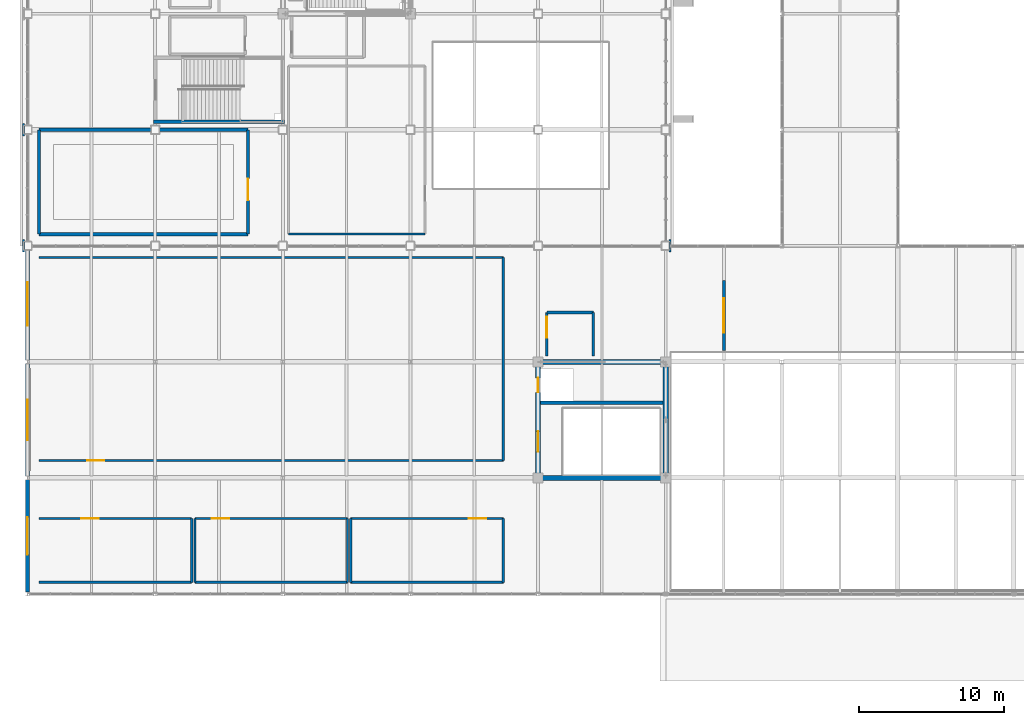
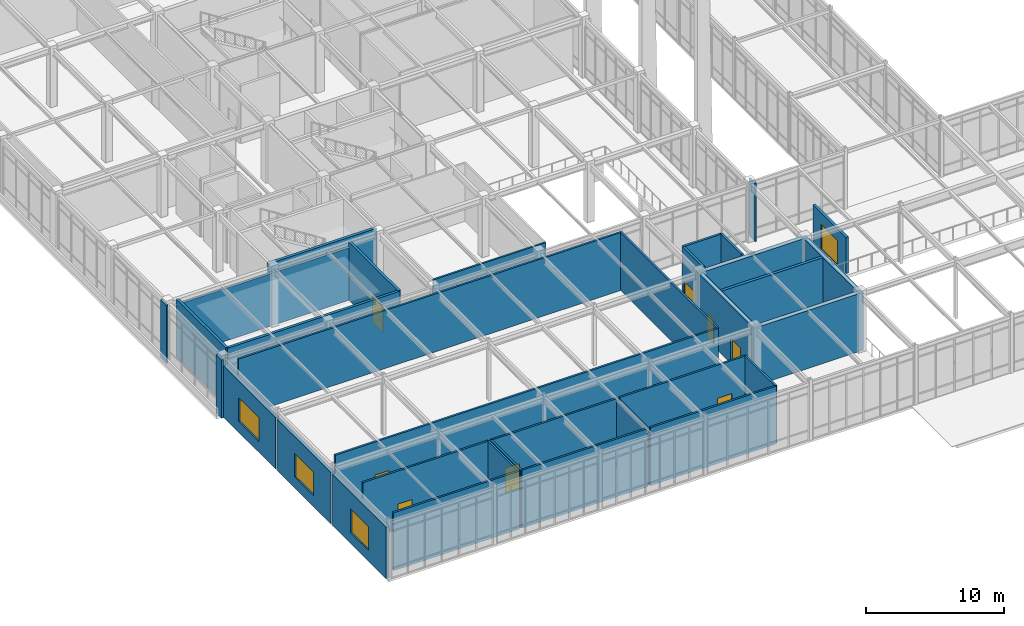
# One storey, part 160 of 184: 35 walls, 9 doors, 3 windows, 12 openings.
"""IFC4 building model written with IfcOpenShell, lengths in metres."""

from ifc_helpers import new_model, si_unit, direction, frame, frame_2d, origin, place, context, subcontext, project, spatial, rectangle, extrude, material, layer, layer_set, type_object, element, fill, save


model = new_model("IFC4")

# Units and contexts
model_context = context("Model", 3, precision=1e-05, world=origin(), true_north=direction((0.0, 1.0)))
body_context = subcontext(model_context, "Body", "Model", "MODEL_VIEW")
ifc_project = project(units=[si_unit("LENGTHUNIT", "METRE"), si_unit("AREAUNIT", "SQUARE_METRE"), si_unit("VOLUMEUNIT", "CUBIC_METRE"), si_unit("PLANEANGLEUNIT", "RADIAN"), si_unit("MASSUNIT", "GRAM", prefix="KILO")], contexts=[model_context])

# Site, building, storey
site_placement = place(None, origin())
site = spatial("IfcSite", under=ifc_project, at=site_placement, CompositionType="ELEMENT")
building_placement = place(site_placement, origin())
building = spatial("IfcBuilding", under=site, at=building_placement, Name="Zhaolan Boulevard Law Courts", CompositionType="ELEMENT")
storey_placement = place(building_placement, frame((0.0, 0.0, 5.39990234375)))
storey = spatial("IfcBuildingStorey", under=building, at=storey_placement, Name="L01", CompositionType="ELEMENT", Elevation=5.39990234375)

# Walls
ifc_material_1 = material(Name="Concrete C50", Category="concrete")
ifc_layer_1 = layer(ifc_material_1, 0.35009765625)
ifc_layer_set_1 = layer_set([ifc_layer_1])
wall_type_1 = type_object("IfcWallType", Name="CORE SHEAR WALL 350", PredefinedType="SHEAR", material=ifc_layer_set_1)
for number, where, z_axis, x_axis, name in (
    (1, (35.02490234375, 14.0, 0.0), (0.0, 0.0, 1.0), (1.0, 0.0, 0.0), "Core Shear Wall CW-P1-L01S"),
    (2, (44.175048828125, 22.0, 0.0), (0.0, 0.0, 1.0), (-1.0, 0.0, 0.0), "Core Shear Wall CW-P1-L01N"),
):
    element("IfcWall", number, at=place(storey_placement, frame(where, z_axis=z_axis, x_axis=x_axis)), inside=storey, type_object=wall_type_1, Name=name, PredefinedType="SHEAR", context=body_context, shape_type="SweptSolid", body=[
        extrude(rectangle(XDim=9.150146484375, YDim=0.35009765625, at=frame_2d((4.5751953125, 0.0))), origin(), (0.0, 0.0, 1.0), 5.1201171875),
    ])

# Wall, openings, doors
wall_1_placement = place(storey_placement, frame((35.199951171875, 14.175048828125, 0.0), z_axis=(0.0, 0.0, 1.0), x_axis=(0.0, 1.0, 0.0)))
wall_1 = element("IfcWall", 3, at=wall_1_placement, inside=storey, type_object=wall_type_1, Name="Core Shear Wall CW-P1-L01W", PredefinedType="SHEAR", context=body_context, shape_type="SweptSolid", body=[
    extrude(rectangle(XDim=7.64990234375, YDim=0.35009765625, at=frame_2d((3.824951171875, 0.0))), origin(), (0.0, 0.0, 1.0), 5.1201171875),
])
opening_1_placement = place(wall_1_placement, frame((1.625, 0.0, 0.0)))
opening_1 = element("IfcOpeningElement", 4, at=opening_1_placement, cuts=wall_1, Name="Opening SD-L01-25", PredefinedType="OPENING", context=body_context, shape_type="SweptSolid", body=[
    extrude(rectangle(XDim=1.39990234375, YDim=2.199951171875, at=frame_2d((0.699951171875, 1.10009765625))), frame((0.0, 0.18505859375, 0.0), z_axis=(0.0, -1.0, 0.0), x_axis=(1.0, 0.0, 0.0)), (0.0, 0.0, 1.0), 0.3701171875),
])
opening_2_placement = place(wall_1_placement, frame((5.72509765625, 0.0, 0.0)))
opening_2 = element("IfcOpeningElement", 5, at=opening_2_placement, cuts=wall_1, Name="Opening LD-PL-01-L01", PredefinedType="OPENING", context=body_context, shape_type="SweptSolid", body=[
    extrude(rectangle(XDim=1.0, YDim=2.14990234375, at=frame_2d((0.5, 1.074951171875))), frame((0.0, 0.18505859375, 0.0), z_axis=(0.0, -1.0, 0.0), x_axis=(1.0, 0.0, 0.0)), (0.0, 0.0, 1.0), 0.3701171875),
])
ifc_material_2 = material(Name="Stainless steel sliding landing door", Category="steel")
door_type_1 = type_object("IfcDoorType", Name="LIFT LANDING 1000X2150", OperationType="DOUBLE_DOOR_SLIDING", PredefinedType="DOOR", material=ifc_material_2)
door_1_placement = place(opening_2_placement, origin())
door_1 = element("IfcDoor", 6, at=door_1_placement, inside=storey, type_object=door_type_1, Name="Lift Landing Sliding Door LD-PL-01-L01", OperationType="DOUBLE_DOOR_SLIDING", OverallHeight=2.14990234375, OverallWidth=1.0, PredefinedType="DOOR", context=body_context, shape_type="SweptSolid", body=[
    extrude(rectangle(XDim=1.0, YDim=2.14990234375, at=frame_2d((0.5, 1.074951171875))), frame((0.0, 0.02490234375, 0.0), z_axis=(0.0, -1.0, 0.0), x_axis=(1.0, 0.0, 0.0)), (0.0, 0.0, 1.0), 0.050048828125),
])
fill(opening_2, door_1)
ifc_material_3 = material(Name="Fire-rated steel acoustic door", Category="steel")
door_type_2 = type_object("IfcDoorType", Name="STAIR FIRE 1400X2200 L", OperationType="SINGLE_SWING_LEFT", PredefinedType="DOOR", material=ifc_material_3)
door_2_placement = place(opening_1_placement, origin())
door_2 = element("IfcDoor", 7, at=door_2_placement, inside=storey, type_object=door_type_2, Name="Smoke-Proof Stairwell Fire Door SD-L01-25", OperationType="SINGLE_SWING_LEFT", OverallHeight=2.199951171875, OverallWidth=1.39990234375, PredefinedType="DOOR", context=body_context, shape_type="SweptSolid", body=[
    extrude(rectangle(XDim=1.39990234375, YDim=2.199951171875, at=frame_2d((0.699951171875, 1.10009765625))), frame((0.0, 0.02490234375, 0.0), z_axis=(0.0, -1.0, 0.0), x_axis=(1.0, 0.0, 0.0)), (0.0, 0.0, 1.0), 0.050048828125),
])
fill(opening_1, door_2)

# Walls
wall_2_placement = place(storey_placement, frame((44.0, 14.175048828125, 0.0), z_axis=(0.0, 0.0, 1.0), x_axis=(0.0, 1.0, 0.0)))
element("IfcWall", 8, at=wall_2_placement, inside=storey, type_object=wall_type_1, Name="Core Shear Wall CW-P1-L01E", PredefinedType="SHEAR", context=body_context, shape_type="SweptSolid", body=[
    extrude(rectangle(XDim=7.64990234375, YDim=0.35009765625, at=frame_2d((3.824951171875, 0.0))), origin(), (0.0, 0.0, 1.0), 5.1201171875),
])
ifc_material_4 = material(Name="Concrete C40", Category="concrete")
ifc_layer_2 = layer(ifc_material_4, 0.139892578125)
ifc_layer_set_2 = layer_set([ifc_layer_2])
wall_type_2 = type_object("IfcWallType", Name="EXT WALL ARCH CLAD140", PredefinedType="SOLIDWALL", material=ifc_layer_set_2)
for number, where, z_axis, x_axis, name in (
    (9, (-0.280029296875, 29.580078125, 0.0), (0.0, 0.0, 1.0), (0.0, 1.0, 0.0), "Concrete Column Cloak Pier CPR-040"),
    (10, (44.280029296875, 29.580078125, 0.0), (0.0, 0.0, 1.0), (0.0, 1.0, 0.0), "Concrete Column Cloak Pier CPR-041"),
    (11, (-0.280029296875, 37.580078125, 0.0), (0.0, 0.0, 1.0), (0.0, 1.0, 0.0), "Concrete Column Cloak Pier CPR-042"),
):
    element("IfcWall", number, at=place(storey_placement, frame(where, z_axis=z_axis, x_axis=x_axis)), inside=storey, type_object=wall_type_2, Name=name, PredefinedType="SOLIDWALL", context=body_context, shape_type="SweptSolid", body=[
        extrude(rectangle(XDim=0.83984375, YDim=0.139892578125, at=frame_2d((0.419921875, 0.0))), origin(), (0.0, 0.0, 1.0), 5.14013671875),
    ])

# Wall, opening, window
ifc_material_5 = material(Name="Concrete C40", Category="concrete")
ifc_layer_3 = layer(ifc_material_5, 0.300048828125)
ifc_layer_set_3 = layer_set([ifc_layer_3])
wall_type_3 = type_object("IfcWallType", Name="EXT WALL CONCRETE300", PredefinedType="SOLIDWALL", material=ifc_layer_set_3)
wall_3_placement = place(storey_placement, frame((0.0, 13.87890625, 0.0), z_axis=(0.0, 0.0, 1.0), x_axis=(0.0, -1.0, 0.0)))
wall_3 = element("IfcWall", 12, at=wall_3_placement, inside=storey, type_object=wall_type_3, Name="Exterior Wall EW-L01-155", PredefinedType="SOLIDWALL", context=body_context, shape_type="SweptSolid", body=[
    extrude(rectangle(XDim=7.7578125, YDim=0.300048828125, at=frame_2d((3.87890625, 0.0))), origin(), (0.0, 0.0, 1.0), 4.523193359375),
])
opening_3_placement = place(wall_3_placement, frame((2.5791015625, 0.0, 0.949951171875)))
opening_3 = element("IfcOpeningElement", 13, at=opening_3_placement, cuts=wall_3, Name="Opening WIN-L01-016", PredefinedType="OPENING", context=body_context, shape_type="SweptSolid", body=[
    extrude(rectangle(XDim=2.60009765625, YDim=2.10009765625, at=frame_2d((1.300048828125, 1.050048828125))), frame((0.0, 0.159912109375, 0.0), z_axis=(0.0, -1.0, 0.0), x_axis=(1.0, 0.0, 0.0)), (0.0, 0.0, 1.0), 0.320068359375),
])
ifc_material_6 = material(Name="Thermally broken aluminium and low-E glazing", Category="aluminium")
window_type_1 = type_object("IfcWindowType", Name="WINDOW 2600X2100", PartitioningType="DOUBLE_PANEL_VERTICAL", PredefinedType="WINDOW", material=ifc_material_6)
window_1_placement = place(opening_3_placement, origin())
window_1 = element("IfcWindow", 14, at=window_1_placement, inside=storey, type_object=window_type_1, Name="Exterior Window WIN-L01-016", OverallHeight=2.10009765625, OverallWidth=2.60009765625, PartitioningType="SINGLE_PANEL", PredefinedType="WINDOW", context=body_context, shape_type="SweptSolid", body=[
    extrude(rectangle(XDim=2.60009765625, YDim=2.10009765625, at=frame_2d((1.300048828125, 1.050048828125))), frame((0.0, 0.030029296875, 0.0), z_axis=(0.0, -1.0, 0.0), x_axis=(1.0, 0.0, 0.0)), (0.0, 0.0, 1.0), 0.06005859375),
])
fill(opening_3, window_1)

wall_4_placement = place(storey_placement, frame((0.0, 21.87890625, 0.0), z_axis=(0.0, 0.0, 1.0), x_axis=(0.0, -1.0, 0.0)))
wall_4 = element("IfcWall", 15, at=wall_4_placement, inside=storey, type_object=wall_type_3, Name="Exterior Wall EW-L01-156", PredefinedType="SOLIDWALL", context=body_context, shape_type="SweptSolid", body=[
    extrude(rectangle(XDim=7.7578125, YDim=0.300048828125, at=frame_2d((3.87890625, 0.0))), origin(), (0.0, 0.0, 1.0), 4.523193359375),
])
opening_4_placement = place(wall_4_placement, frame((2.47900390625, 0.0, 0.949951171875)))
opening_4 = element("IfcOpeningElement", 16, at=opening_4_placement, cuts=wall_4, Name="Opening WIN-L01-017", PredefinedType="OPENING", context=body_context, shape_type="SweptSolid", body=[
    extrude(rectangle(XDim=2.800048828125, YDim=2.10009765625, at=frame_2d((1.39990234375, 1.050048828125))), frame((0.0, 0.159912109375, 0.0), z_axis=(0.0, -1.0, 0.0), x_axis=(1.0, 0.0, 0.0)), (0.0, 0.0, 1.0), 0.320068359375),
])
ifc_material_7 = material(Name="Thermally broken aluminium and low-E glazing", Category="aluminium")
window_type_2 = type_object("IfcWindowType", Name="WINDOW 2800X2100", PartitioningType="DOUBLE_PANEL_VERTICAL", PredefinedType="WINDOW", material=ifc_material_7)
window_2_placement = place(opening_4_placement, origin())
window_2 = element("IfcWindow", 17, at=window_2_placement, inside=storey, type_object=window_type_2, Name="Exterior Window WIN-L01-017", OverallHeight=2.10009765625, OverallWidth=2.800048828125, PartitioningType="SINGLE_PANEL", PredefinedType="WINDOW", context=body_context, shape_type="SweptSolid", body=[
    extrude(rectangle(XDim=2.800048828125, YDim=2.10009765625, at=frame_2d((1.39990234375, 1.050048828125))), frame((0.0, 0.030029296875, 0.0), z_axis=(0.0, -1.0, 0.0), x_axis=(1.0, 0.0, 0.0)), (0.0, 0.0, 1.0), 0.06005859375),
])
fill(opening_4, window_2)

wall_5_placement = place(storey_placement, frame((0.0, 29.7041015625, 0.0), z_axis=(0.0, 0.0, 1.0), x_axis=(0.0, -1.0, 0.0)))
wall_5 = element("IfcWall", 18, at=wall_5_placement, inside=storey, type_object=wall_type_3, Name="Exterior Wall EW-L01-157", PredefinedType="SOLIDWALL", context=body_context, shape_type="SweptSolid", body=[
    extrude(rectangle(XDim=7.5830078125, YDim=0.300048828125, at=frame_2d((3.79150390625, 0.0))), origin(), (0.0, 0.0, 1.0), 4.523193359375),
])
opening_5_placement = place(wall_5_placement, frame((2.2041015625, 0.0, 0.949951171875)))
opening_5 = element("IfcOpeningElement", 19, at=opening_5_placement, cuts=wall_5, Name="Opening WIN-L01-018", PredefinedType="OPENING", context=body_context, shape_type="SweptSolid", body=[
    extrude(rectangle(XDim=3.0, YDim=2.10009765625, at=frame_2d((1.5, 1.050048828125))), frame((0.0, 0.159912109375, 0.0), z_axis=(0.0, -1.0, 0.0), x_axis=(1.0, 0.0, 0.0)), (0.0, 0.0, 1.0), 0.320068359375),
])
ifc_material_8 = material(Name="Thermally broken aluminium and low-E glazing", Category="aluminium")
window_type_3 = type_object("IfcWindowType", Name="WINDOW 3000X2100", PartitioningType="DOUBLE_PANEL_VERTICAL", PredefinedType="WINDOW", material=ifc_material_8)
window_3_placement = place(opening_5_placement, origin())
window_3 = element("IfcWindow", 20, at=window_3_placement, inside=storey, type_object=window_type_3, Name="Exterior Window WIN-L01-018", OverallHeight=2.10009765625, OverallWidth=3.0, PartitioningType="SINGLE_PANEL", PredefinedType="WINDOW", context=body_context, shape_type="SweptSolid", body=[
    extrude(rectangle(XDim=3.0, YDim=2.10009765625, at=frame_2d((1.5, 1.050048828125))), frame((0.0, 0.030029296875, 0.0), z_axis=(0.0, -1.0, 0.0), x_axis=(1.0, 0.0, 0.0)), (0.0, 0.0, 1.0), 0.06005859375),
])
fill(opening_5, window_3)

# Walls
ifc_material_9 = material(Name="Concrete C50", Category="concrete")
ifc_layer_4 = layer(ifc_material_9, 0.239990234375)
ifc_layer_set_4 = layer_set([ifc_layer_4])
wall_type_4 = type_object("IfcWallType", Name="LIFT SHAFT WALL 240", PredefinedType="SHEAR", material=ifc_layer_set_4)
wall_6_placement = place(storey_placement, frame((35.375, 19.179931640625, 0.0), z_axis=(0.0, 0.0, 1.0), x_axis=(1.0, 0.0, 0.0)))
element("IfcWall", 21, at=wall_6_placement, inside=storey, type_object=wall_type_4, Name="Lift Shaft Enclosure Wall P1 (L01)", PredefinedType="SHEAR", context=body_context, shape_type="SweptSolid", body=[
    extrude(rectangle(XDim=8.449951171875, YDim=0.239990234375, at=frame_2d((4.22509765625, 0.0))), origin(), (0.0, 0.0, 1.0), 5.1201171875),
])
ifc_material_10 = material(Name="Acoustic gypsum and mineral-wool stud")
ifc_layer_5 = layer(ifc_material_10, 0.18994140625)
ifc_layer_set_5 = layer_set([ifc_layer_5])
wall_type_5 = type_object("IfcWallType", Name="PART WALL ACOUST190", PredefinedType="PARTITIONING", material=ifc_layer_set_5)
wall_7_placement = place(storey_placement, frame((39.0, 25.39990234375, 0.0), z_axis=(0.0, 0.0, 1.0), x_axis=(-1.0, 0.0, 0.0)))
element("IfcWall", 22, at=wall_7_placement, inside=storey, type_object=wall_type_5, Name="Interior Partition PW-L01-073", PredefinedType="PARTITIONING", context=body_context, shape_type="SweptSolid", body=[
    extrude(rectangle(XDim=3.199951171875, YDim=0.18994140625, at=frame_2d((1.60009765625, 0.0))), origin(), (0.0, 0.0, 1.0), 5.1201171875),
])

# Wall, opening, door
wall_8_placement = place(storey_placement, frame((35.800048828125, 25.39990234375, 0.0), z_axis=(0.0, 0.0, 1.0), x_axis=(0.0, -1.0, 0.0)))
wall_8 = element("IfcWall", 23, at=wall_8_placement, inside=storey, type_object=wall_type_5, Name="Interior Partition PW-L01-074", PredefinedType="PARTITIONING", context=body_context, shape_type="SweptSolid", body=[
    extrude(rectangle(XDim=3.0, YDim=0.18994140625, at=frame_2d((1.5, 0.0))), origin(), (0.0, 0.0, 1.0), 5.1201171875),
])
opening_6_placement = place(wall_8_placement, frame((0.300048828125, 0.0, 0.0)))
opening_6 = element("IfcOpeningElement", 24, at=opening_6_placement, cuts=wall_8, Name="Opening FD-L01-025", PredefinedType="OPENING", context=body_context, shape_type="SweptSolid", body=[
    extrude(rectangle(XDim=1.449951171875, YDim=2.199951171875, at=frame_2d((0.72509765625, 1.10009765625))), frame((0.0, 0.10498046875, 0.0), z_axis=(0.0, -1.0, 0.0), x_axis=(1.0, 0.0, 0.0)), (0.0, 0.0, 1.0), 0.2099609375),
])
ifc_material_11 = material(Name="Fire-rated steel acoustic door", Category="steel")
door_type_3 = type_object("IfcDoorType", Name="LOBBY FIRE 1450X2200 L", OperationType="SINGLE_SWING_LEFT", PredefinedType="DOOR", material=ifc_material_11)
door_3_placement = place(opening_6_placement, origin())
door_3 = element("IfcDoor", 25, at=door_3_placement, inside=storey, type_object=door_type_3, Name="Door FD-L01-025 (Lobby Firefighting Lift L01-P1)", OperationType="SINGLE_SWING_LEFT", OverallHeight=2.199951171875, OverallWidth=1.449951171875, PredefinedType="DOOR", context=body_context, shape_type="SweptSolid", body=[
    extrude(rectangle(XDim=1.449951171875, YDim=2.199951171875, at=frame_2d((0.72509765625, 1.10009765625))), frame((0.0, 0.02490234375, 0.0), z_axis=(0.0, -1.0, 0.0), x_axis=(1.0, 0.0, 0.0)), (0.0, 0.0, 1.0), 0.050048828125),
])
fill(opening_6, door_3)

# Walls
wall_9_placement = place(storey_placement, frame((39.0, 22.39990234375, 0.0), z_axis=(0.0, 0.0, 1.0), x_axis=(0.0, 1.0, 0.0)))
element("IfcWall", 26, at=wall_9_placement, inside=storey, type_object=wall_type_5, Name="Interior Partition PW-L01-075", PredefinedType="PARTITIONING", context=body_context, shape_type="SweptSolid", body=[
    extrude(rectangle(XDim=3.0, YDim=0.18994140625, at=frame_2d((1.5, 0.0))), origin(), (0.0, 0.0, 1.0), 5.1201171875),
])
ifc_material_12 = material(Name="Fire-rated gypsum stud partition")
ifc_layer_6 = layer(ifc_material_12, 0.159912109375)
ifc_layer_set_6 = layer_set([ifc_layer_6])
wall_type_6 = type_object("IfcWallType", Name="PART WALL CHAMB160", PredefinedType="PARTITIONING", material=ifc_layer_set_6)
wall_10_placement = place(storey_placement, frame((0.800048828125, 6.800048828125, 0.0), z_axis=(0.0, 0.0, 1.0), x_axis=(1.0, 0.0, 0.0)))
element("IfcWall", 27, at=wall_10_placement, inside=storey, type_object=wall_type_6, Name="Interior Partition PW-L01-342", PredefinedType="PARTITIONING", context=body_context, shape_type="SweptSolid", body=[
    extrude(rectangle(XDim=10.52001953125, YDim=0.159912109375, at=frame_2d((5.260009765625, 0.0))), origin(), (0.0, 0.0, 1.0), 5.1201171875),
])

# Wall, opening, door
wall_11_placement = place(storey_placement, frame((11.320068359375, 11.199951171875, 0.0), z_axis=(0.0, 0.0, 1.0), x_axis=(-1.0, 0.0, 0.0)))
wall_11 = element("IfcWall", 28, at=wall_11_placement, inside=storey, type_object=wall_type_6, Name="Interior Partition PW-L01-343", PredefinedType="PARTITIONING", context=body_context, shape_type="SweptSolid", body=[
    extrude(rectangle(XDim=10.52001953125, YDim=0.159912109375, at=frame_2d((5.260009765625, 0.0))), origin(), (0.0, 0.0, 1.0), 5.1201171875),
])
opening_7_placement = place(wall_11_placement, frame((6.404052734375, 0.0, 0.0)))
opening_7 = element("IfcOpeningElement", 29, at=opening_7_placement, cuts=wall_11, Name="Opening MD-L01-107", PredefinedType="OPENING", context=body_context, shape_type="SweptSolid", body=[
    extrude(rectangle(XDim=1.199951171875, YDim=2.199951171875, at=frame_2d((0.60009765625, 1.10009765625))), frame((0.0, 0.08984375, 0.0), z_axis=(0.0, -1.0, 0.0), x_axis=(1.0, 0.0, 0.0)), (0.0, 0.0, 1.0), 0.179931640625),
])
ifc_material_13 = material(Name="Solid-core acoustic oak veneer door")
door_type_4 = type_object("IfcDoorType", Name="MED DOOR 1200X2200 L", OperationType="SINGLE_SWING_LEFT", PredefinedType="DOOR", material=ifc_material_13)
door_4_placement = place(opening_7_placement, origin())
door_4 = element("IfcDoor", 30, at=door_4_placement, inside=storey, type_object=door_type_4, Name="Door MD-L01-107 (Mediation Chamber L01-01)", OperationType="SINGLE_SWING_LEFT", OverallHeight=2.199951171875, OverallWidth=1.199951171875, PredefinedType="DOOR", context=body_context, shape_type="SweptSolid", body=[
    extrude(rectangle(XDim=1.199951171875, YDim=2.199951171875, at=frame_2d((0.60009765625, 1.10009765625))), frame((0.0, 0.02490234375, 0.0), z_axis=(0.0, -1.0, 0.0), x_axis=(1.0, 0.0, 0.0)), (0.0, 0.0, 1.0), 0.050048828125),
])
fill(opening_7, door_4)

# Walls
wall_12_placement = place(storey_placement, frame((11.320068359375, 6.800048828125, 0.0), z_axis=(0.0, 0.0, 1.0), x_axis=(0.0, 1.0, 0.0)))
element("IfcWall", 31, at=wall_12_placement, inside=storey, type_object=wall_type_6, Name="Interior Partition PW-L01-344", PredefinedType="PARTITIONING", context=body_context, shape_type="SweptSolid", body=[
    extrude(rectangle(XDim=4.39990234375, YDim=0.159912109375, at=frame_2d((2.199951171875, 0.0))), origin(), (0.0, 0.0, 1.0), 5.1201171875),
])
wall_13_placement = place(storey_placement, frame((11.5400390625, 6.800048828125, 0.0), z_axis=(0.0, 0.0, 1.0), x_axis=(1.0, 0.0, 0.0)))
element("IfcWall", 32, at=wall_13_placement, inside=storey, type_object=wall_type_6, Name="Interior Partition PW-L01-345", PredefinedType="PARTITIONING", context=body_context, shape_type="SweptSolid", body=[
    extrude(rectangle(XDim=10.52001953125, YDim=0.159912109375, at=frame_2d((5.260009765625, 0.0))), origin(), (0.0, 0.0, 1.0), 5.1201171875),
])

# Wall, opening, door
wall_14_placement = place(storey_placement, frame((22.06005859375, 11.199951171875, 0.0), z_axis=(0.0, 0.0, 1.0), x_axis=(-1.0, 0.0, 0.0)))
wall_14 = element("IfcWall", 33, at=wall_14_placement, inside=storey, type_object=wall_type_6, Name="Interior Partition PW-L01-346", PredefinedType="PARTITIONING", context=body_context, shape_type="SweptSolid", body=[
    extrude(rectangle(XDim=10.52001953125, YDim=0.159912109375, at=frame_2d((5.260009765625, 0.0))), origin(), (0.0, 0.0, 1.0), 5.1201171875),
])
opening_8_placement = place(wall_14_placement, frame((8.166015625, 0.0, 0.0)))
opening_8 = element("IfcOpeningElement", 34, at=opening_8_placement, cuts=wall_14, Name="Opening MD-L01-108", PredefinedType="OPENING", context=body_context, shape_type="SweptSolid", body=[
    extrude(rectangle(XDim=1.179931640625, YDim=2.199951171875, at=frame_2d((0.58984375, 1.10009765625))), frame((0.0, 0.08984375, 0.0), z_axis=(0.0, -1.0, 0.0), x_axis=(1.0, 0.0, 0.0)), (0.0, 0.0, 1.0), 0.179931640625),
])
ifc_material_14 = material(Name="Solid-core acoustic oak veneer door")
door_type_5 = type_object("IfcDoorType", Name="MED DOOR 1180X2200 R", OperationType="SINGLE_SWING_RIGHT", PredefinedType="DOOR", material=ifc_material_14)
door_5_placement = place(opening_8_placement, origin())
door_5 = element("IfcDoor", 35, at=door_5_placement, inside=storey, type_object=door_type_5, Name="Door MD-L01-108 (Mediation Chamber L01-02)", OperationType="SINGLE_SWING_RIGHT", OverallHeight=2.199951171875, OverallWidth=1.179931640625, PredefinedType="DOOR", context=body_context, shape_type="SweptSolid", body=[
    extrude(rectangle(XDim=1.179931640625, YDim=2.199951171875, at=frame_2d((0.58984375, 1.10009765625))), frame((0.0, 0.02490234375, 0.0), z_axis=(0.0, -1.0, 0.0), x_axis=(1.0, 0.0, 0.0)), (0.0, 0.0, 1.0), 0.050048828125),
])
fill(opening_8, door_5)

# Walls
wall_15_placement = place(storey_placement, frame((11.5400390625, 11.199951171875, 0.0), z_axis=(0.0, 0.0, 1.0), x_axis=(0.0, -1.0, 0.0)))
element("IfcWall", 36, at=wall_15_placement, inside=storey, type_object=wall_type_6, Name="Interior Partition PW-L01-347", PredefinedType="PARTITIONING", context=body_context, shape_type="SweptSolid", body=[
    extrude(rectangle(XDim=4.39990234375, YDim=0.159912109375, at=frame_2d((2.199951171875, 0.0))), origin(), (0.0, 0.0, 1.0), 5.1201171875),
])
wall_16_placement = place(storey_placement, frame((22.06005859375, 6.800048828125, 0.0), z_axis=(0.0, 0.0, 1.0), x_axis=(0.0, 1.0, 0.0)))
element("IfcWall", 37, at=wall_16_placement, inside=storey, type_object=wall_type_6, Name="Interior Partition PW-L01-348", PredefinedType="PARTITIONING", context=body_context, shape_type="SweptSolid", body=[
    extrude(rectangle(XDim=4.39990234375, YDim=0.159912109375, at=frame_2d((2.199951171875, 0.0))), origin(), (0.0, 0.0, 1.0), 4.882080078125),
])
wall_17_placement = place(storey_placement, frame((22.280029296875, 6.800048828125, 0.0), z_axis=(0.0, 0.0, 1.0), x_axis=(1.0, 0.0, 0.0)))
element("IfcWall", 38, at=wall_17_placement, inside=storey, type_object=wall_type_6, Name="Interior Partition PW-L01-349", PredefinedType="PARTITIONING", context=body_context, shape_type="SweptSolid", body=[
    extrude(rectangle(XDim=10.52001953125, YDim=0.159912109375, at=frame_2d((5.260009765625, 0.0))), origin(), (0.0, 0.0, 1.0), 5.1201171875),
])

# Wall, opening, door
wall_18_placement = place(storey_placement, frame((32.800048828125, 11.199951171875, 0.0), z_axis=(0.0, 0.0, 1.0), x_axis=(-1.0, 0.0, 0.0)))
wall_18 = element("IfcWall", 39, at=wall_18_placement, inside=storey, type_object=wall_type_6, Name="Interior Partition PW-L01-350", PredefinedType="PARTITIONING", context=body_context, shape_type="SweptSolid", body=[
    extrude(rectangle(XDim=10.52001953125, YDim=0.159912109375, at=frame_2d((5.260009765625, 0.0))), origin(), (0.0, 0.0, 1.0), 5.1201171875),
])
opening_9_placement = place(wall_18_placement, frame((1.172119140625, 0.0, 0.0)))
opening_9 = element("IfcOpeningElement", 40, at=opening_9_placement, cuts=wall_18, Name="Opening MD-L01-109", PredefinedType="OPENING", context=body_context, shape_type="SweptSolid", body=[
    extrude(rectangle(XDim=1.199951171875, YDim=2.199951171875, at=frame_2d((0.60009765625, 1.10009765625))), frame((0.0, 0.08984375, 0.0), z_axis=(0.0, -1.0, 0.0), x_axis=(1.0, 0.0, 0.0)), (0.0, 0.0, 1.0), 0.179931640625),
])
door_6_placement = place(opening_9_placement, origin())
door_6 = element("IfcDoor", 41, at=door_6_placement, inside=storey, type_object=door_type_4, Name="Door MD-L01-109 (Mediation Chamber L01-03)", OperationType="SINGLE_SWING_LEFT", OverallHeight=2.199951171875, OverallWidth=1.199951171875, PredefinedType="DOOR", context=body_context, shape_type="SweptSolid", body=[
    extrude(rectangle(XDim=1.199951171875, YDim=2.199951171875, at=frame_2d((0.60009765625, 1.10009765625))), frame((0.0, 0.02490234375, 0.0), z_axis=(0.0, -1.0, 0.0), x_axis=(1.0, 0.0, 0.0)), (0.0, 0.0, 1.0), 0.050048828125),
])
fill(opening_9, door_6)

# Walls
wall_19_placement = place(storey_placement, frame((22.280029296875, 11.199951171875, 0.0), z_axis=(0.0, 0.0, 1.0), x_axis=(0.0, -1.0, 0.0)))
element("IfcWall", 42, at=wall_19_placement, inside=storey, type_object=wall_type_6, Name="Interior Partition PW-L01-351", PredefinedType="PARTITIONING", context=body_context, shape_type="SweptSolid", body=[
    extrude(rectangle(XDim=4.39990234375, YDim=0.159912109375, at=frame_2d((2.199951171875, 0.0))), origin(), (0.0, 0.0, 1.0), 4.882080078125),
])
wall_20_placement = place(storey_placement, frame((32.800048828125, 6.800048828125, 0.0), z_axis=(0.0, 0.0, 1.0), x_axis=(0.0, 1.0, 0.0)))
element("IfcWall", 43, at=wall_20_placement, inside=storey, type_object=wall_type_6, Name="Interior Partition PW-L01-352", PredefinedType="PARTITIONING", context=body_context, shape_type="SweptSolid", body=[
    extrude(rectangle(XDim=4.39990234375, YDim=0.159912109375, at=frame_2d((2.199951171875, 0.0))), origin(), (0.0, 0.0, 1.0), 5.1201171875),
])

# Wall, opening, door
wall_21_placement = place(storey_placement, frame((0.800048828125, 15.199951171875, 0.0), z_axis=(0.0, 0.0, 1.0), x_axis=(1.0, 0.0, 0.0)))
wall_21 = element("IfcWall", 44, at=wall_21_placement, inside=storey, type_object=wall_type_6, Name="Interior Partition PW-L01-353", PredefinedType="PARTITIONING", context=body_context, shape_type="SweptSolid", body=[
    extrude(rectangle(XDim=32.0, YDim=0.159912109375, at=frame_2d((16.0, 0.0))), origin(), (0.0, 0.0, 1.0), 5.1201171875),
])
opening_10_placement = place(wall_21_placement, frame((3.322021484375, 0.0, 0.0)))
opening_10 = element("IfcOpeningElement", 45, at=opening_10_placement, cuts=wall_21, Name="Opening MD-L01-110", PredefinedType="OPENING", context=body_context, shape_type="SweptSolid", body=[
    extrude(rectangle(XDim=1.179931640625, YDim=2.199951171875, at=frame_2d((0.58984375, 1.10009765625))), frame((0.0, 0.08984375, 0.0), z_axis=(0.0, -1.0, 0.0), x_axis=(1.0, 0.0, 0.0)), (0.0, 0.0, 1.0), 0.179931640625),
])
door_7_placement = place(opening_10_placement, origin())
door_7 = element("IfcDoor", 46, at=door_7_placement, inside=storey, type_object=door_type_5, Name="Door MD-L01-110 (Commercial Mediation Hall L01)", OperationType="SINGLE_SWING_RIGHT", OverallHeight=2.199951171875, OverallWidth=1.179931640625, PredefinedType="DOOR", context=body_context, shape_type="SweptSolid", body=[
    extrude(rectangle(XDim=1.179931640625, YDim=2.199951171875, at=frame_2d((0.58984375, 1.10009765625))), frame((0.0, 0.02490234375, 0.0), z_axis=(0.0, -1.0, 0.0), x_axis=(1.0, 0.0, 0.0)), (0.0, 0.0, 1.0), 0.050048828125),
])
fill(opening_10, door_7)

# Walls
wall_22_placement = place(storey_placement, frame((32.800048828125, 29.199951171875, 0.0), z_axis=(0.0, 0.0, 1.0), x_axis=(-1.0, 0.0, 0.0)))
element("IfcWall", 47, at=wall_22_placement, inside=storey, type_object=wall_type_6, Name="Interior Partition PW-L01-354", PredefinedType="PARTITIONING", context=body_context, shape_type="SweptSolid", body=[
    extrude(rectangle(XDim=32.0, YDim=0.159912109375, at=frame_2d((16.0, 0.0))), origin(), (0.0, 0.0, 1.0), 5.1201171875),
])
wall_23_placement = place(storey_placement, frame((32.800048828125, 15.199951171875, 0.0), z_axis=(0.0, 0.0, 1.0), x_axis=(0.0, 1.0, 0.0)))
element("IfcWall", 48, at=wall_23_placement, inside=storey, type_object=wall_type_6, Name="Interior Partition PW-L01-355", PredefinedType="PARTITIONING", context=body_context, shape_type="SweptSolid", body=[
    extrude(rectangle(XDim=14.0, YDim=0.159912109375, at=frame_2d((7.0, 0.0))), origin(), (0.0, 0.0, 1.0), 5.1201171875),
])
ifc_material_15 = material(Name="Concrete C40", Category="concrete")
ifc_layer_7 = layer(ifc_material_15, 0.219970703125)
ifc_layer_set_7 = layer_set([ifc_layer_7])
wall_type_7 = type_object("IfcWallType", Name="PART WALL COURT220", PredefinedType="PARTITIONING", material=ifc_layer_set_7)
wall_24_placement = place(storey_placement, frame((0.800048828125, 30.800048828125, 0.0), z_axis=(0.0, 0.0, 1.0), x_axis=(1.0, 0.0, 0.0)))
element("IfcWall", 49, at=wall_24_placement, inside=storey, type_object=wall_type_7, Name="Interior Partition PW-L01-399", PredefinedType="PARTITIONING", context=body_context, shape_type="SweptSolid", body=[
    extrude(rectangle(XDim=14.39990234375, YDim=0.219970703125, at=frame_2d((7.199951171875, 0.0))), origin(), (0.0, 0.0, 1.0), 5.1201171875),
])
wall_25_placement = place(storey_placement, frame((15.199951171875, 38.0, 0.0), z_axis=(0.0, 0.0, 1.0), x_axis=(-1.0, 0.0, 0.0)))
element("IfcWall", 50, at=wall_25_placement, inside=storey, type_object=wall_type_7, Name="Interior Partition PW-L01-400", PredefinedType="PARTITIONING", context=body_context, shape_type="SweptSolid", body=[
    extrude(rectangle(XDim=14.39990234375, YDim=0.219970703125, at=frame_2d((7.199951171875, 0.0))), origin(), (0.0, 0.0, 1.0), 4.63818359375),
])
wall_26_placement = place(storey_placement, frame((0.800048828125, 38.0, 0.0), z_axis=(0.0, 0.0, 1.0), x_axis=(0.0, -1.0, 0.0)))
element("IfcWall", 51, at=wall_26_placement, inside=storey, type_object=wall_type_7, Name="Interior Partition PW-L01-401", PredefinedType="PARTITIONING", context=body_context, shape_type="SweptSolid", body=[
    extrude(rectangle(XDim=7.199951171875, YDim=0.219970703125, at=frame_2d((3.60009765625, 0.0))), origin(), (0.0, 0.0, 1.0), 5.1201171875),
])

# Wall, opening, door
wall_27_placement = place(storey_placement, frame((15.199951171875, 30.800048828125, 0.0), z_axis=(0.0, 0.0, 1.0), x_axis=(0.0, 1.0, 0.0)))
wall_27 = element("IfcWall", 52, at=wall_27_placement, inside=storey, type_object=wall_type_7, Name="Interior Partition PW-L01-402", PredefinedType="PARTITIONING", context=body_context, shape_type="SweptSolid", body=[
    extrude(rectangle(XDim=7.199951171875, YDim=0.219970703125, at=frame_2d((3.60009765625, 0.0))), origin(), (0.0, 0.0, 1.0), 5.1201171875),
])
opening_11_placement = place(wall_27_placement, frame((2.340087890625, 0.0, 0.0)))
opening_11 = element("IfcOpeningElement", 53, at=opening_11_placement, cuts=wall_27, Name="Opening ID-L01-125", PredefinedType="OPENING", context=body_context, shape_type="SweptSolid", body=[
    extrude(rectangle(XDim=1.5, YDim=2.300048828125, at=frame_2d((0.75, 1.14990234375))), frame((0.0, 0.119873046875, 0.0), z_axis=(0.0, -1.0, 0.0), x_axis=(1.0, 0.0, 0.0)), (0.0, 0.0, 1.0), 0.239990234375),
])
ifc_material_16 = material(Name="Solid-core acoustic oak veneer door")
door_type_6 = type_object("IfcDoorType", Name="COURT DOUBLE 1500X2300", OperationType="DOUBLE_DOOR_SINGLE_SWING", PredefinedType="DOOR", material=ifc_material_16)
door_8_placement = place(opening_11_placement, origin())
door_8 = element("IfcDoor", 54, at=door_8_placement, inside=storey, type_object=door_type_6, Name="Door ID-L01-125 (Family Trial Courtroom L01)", OperationType="DOUBLE_DOOR_SINGLE_SWING", OverallHeight=2.300048828125, OverallWidth=1.5, PredefinedType="DOOR", context=body_context, shape_type="SweptSolid", body=[
    extrude(rectangle(XDim=1.5, YDim=2.300048828125, at=frame_2d((0.75, 1.14990234375))), frame((0.0, 0.02490234375, 0.0), z_axis=(0.0, -1.0, 0.0), x_axis=(1.0, 0.0, 0.0)), (0.0, 0.0, 1.0), 0.050048828125),
])
fill(opening_11, door_8)

ifc_material_17 = material(Name="Concrete C40", Category="concrete")
ifc_layer_8 = layer(ifc_material_17, 0.2099609375)
ifc_layer_set_8 = layer_set([ifc_layer_8])
wall_type_8 = type_object("IfcWallType", Name="PART WALL CUSTODY210", PredefinedType="PARTITIONING", material=ifc_layer_set_8)
wall_28_placement = place(storey_placement, frame((48.0, 22.800048828125, 0.0), z_axis=(0.0, 0.0, 1.0), x_axis=(0.0, 1.0, 0.0)))
wall_28 = element("IfcWall", 55, at=wall_28_placement, inside=storey, type_object=wall_type_8, Name="Security Portal Wall GW-SEC3", PredefinedType="PARTITIONING", context=body_context, shape_type="SweptSolid", body=[
    extrude(rectangle(XDim=4.800048828125, YDim=0.2099609375, at=frame_2d((2.39990234375, 0.0))), origin(), (0.0, 0.0, 1.0), 3.2001953125),
])
opening_12_placement = place(wall_28_placement, frame((1.199951171875, 0.0, 0.0)))
opening_12 = element("IfcOpeningElement", 56, at=opening_12_placement, cuts=wall_28, Name="Opening SG-03", PredefinedType="OPENING", context=body_context, shape_type="SweptSolid", body=[
    extrude(rectangle(XDim=2.39990234375, YDim=2.199951171875, at=frame_2d((1.199951171875, 1.10009765625))), frame((0.0, 0.114990234375, 0.0), z_axis=(0.0, -1.0, 0.0), x_axis=(1.0, 0.0, 0.0)), (0.0, 0.0, 1.0), 0.22998046875),
])
ifc_material_18 = material(Name="Fire-rated steel acoustic door", Category="steel")
door_type_7 = type_object("IfcDoorType", Name="SECURITY GATE 2400X2200", OperationType="DOUBLE_DOOR_SLIDING", PredefinedType="GATE", material=ifc_material_18)
door_9_placement = place(opening_12_placement, origin())
door_9 = element("IfcDoor", 57, at=door_9_placement, inside=storey, type_object=door_type_7, Name="Judicial Security Sliding Gate SG-03", OperationType="DOUBLE_DOOR_SLIDING", OverallHeight=2.199951171875, OverallWidth=2.39990234375, PredefinedType="GATE", context=body_context, shape_type="SweptSolid", body=[
    extrude(rectangle(XDim=2.39990234375, YDim=2.199951171875, at=frame_2d((1.199951171875, 1.10009765625))), frame((0.0, 0.02490234375, 0.0), z_axis=(0.0, -1.0, 0.0), x_axis=(1.0, 0.0, 0.0)), (0.0, 0.0, 1.0), 0.050048828125),
])
fill(opening_12, door_9)

# Walls
ifc_material_19 = material(Name="Fire-rated gypsum stud partition")
ifc_layer_9 = layer(ifc_material_19, 0.139892578125)
ifc_layer_set_9 = layer_set([ifc_layer_9])
wall_type_9 = type_object("IfcWallType", Name="PART WALL OFFICE140", PredefinedType="PARTITIONING", material=ifc_layer_set_9)
wall_29_placement = place(storey_placement, frame((18.0, 30.800048828125, 0.0), z_axis=(0.0, 0.0, 1.0), x_axis=(1.0, 0.0, 0.0)))
element("IfcWall", 58, at=wall_29_placement, inside=storey, type_object=wall_type_9, Name="Interior Partition PW-L01-759", PredefinedType="PARTITIONING", context=body_context, shape_type="SweptSolid", body=[
    extrude(rectangle(XDim=9.39990234375, YDim=0.139892578125, at=frame_2d((4.699951171875, 0.0))), origin(), (0.0, 0.0, 1.0), 5.1201171875),
])
ifc_material_20 = material(Name="Concrete C50", Category="concrete")
ifc_layer_10 = layer(ifc_material_20, 0.239990234375)
ifc_layer_set_10 = layer_set([ifc_layer_10])
wall_type_10 = type_object("IfcWallType", Name="STAIR WELL WALL 240", PredefinedType="SHEAR", material=ifc_layer_set_10)
wall_30_placement = place(storey_placement, frame((8.679931640625, 38.550048828125, 0.0), z_axis=(0.0, 0.0, 1.0), x_axis=(1.0, 0.0, 0.0)))
element("IfcWall", 59, at=wall_30_placement, inside=storey, type_object=wall_type_10, Name="Stairwell Shear Wall ST03-L01S", PredefinedType="SHEAR", context=body_context, shape_type="SweptSolid", body=[
    extrude(rectangle(XDim=9.0400390625, YDim=0.239990234375, at=frame_2d((4.52001953125, 0.0))), origin(), (0.0, 0.0, 1.0), 5.1201171875),
])

save(model, "model.ifc")
